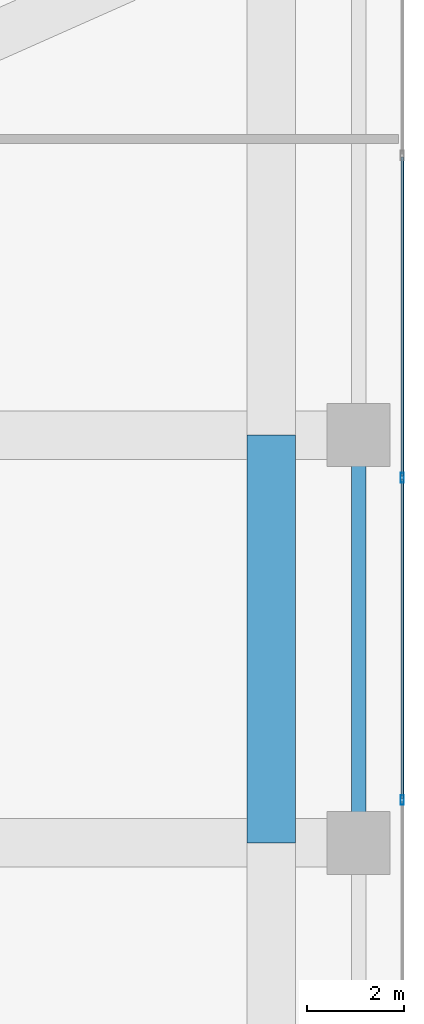
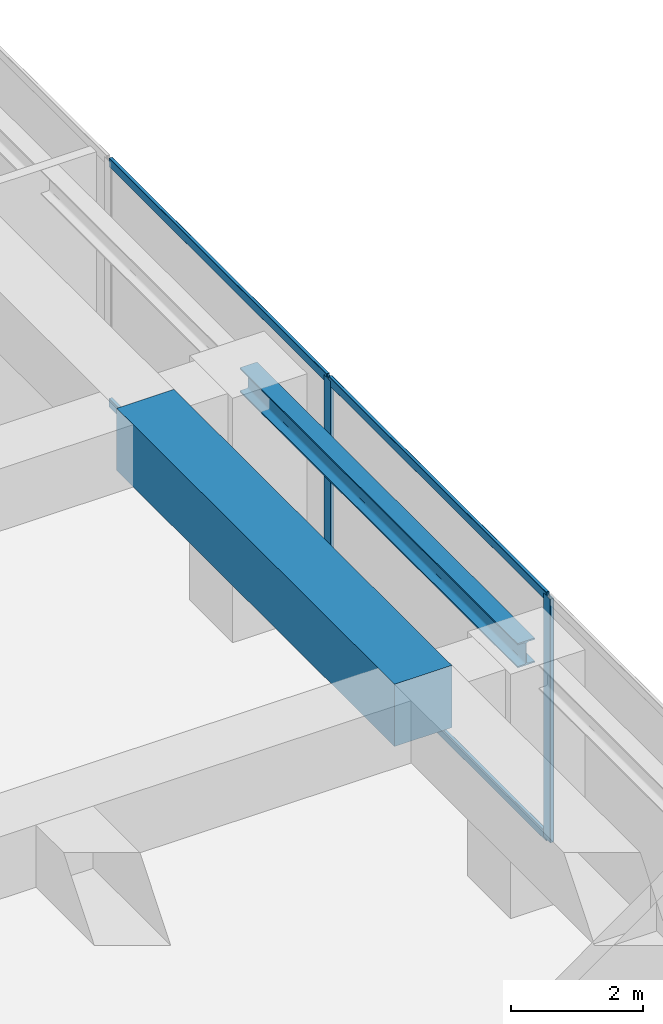
# One storey, part 17 of 35: 6 members, 2 beams, 1 element without a shape of its own.
"""IFC4 building model written with IfcOpenShell, lengths in metres."""

from ifc_helpers import new_model, si_unit, direction, frame, origin, origin_2d, place, context, subcontext, project, spatial, rectangle, hollow_rectangle, i_section, extrude, source, transform, mapped, material, layer, layer_set, material_profile, profile_set, type_object, element, aggregate, save


model = new_model("IFC4")

# Units and contexts
model_context = context("Model", 3, precision=1e-05, world=origin(), true_north=direction((0.0, 1.0)))
body_context = subcontext(model_context, "Body", "Model", "MODEL_VIEW")
ifc_project = project(units=[si_unit("LENGTHUNIT", "METRE"), si_unit("AREAUNIT", "SQUARE_METRE"), si_unit("VOLUMEUNIT", "CUBIC_METRE"), si_unit("PLANEANGLEUNIT", "RADIAN"), si_unit("MASSUNIT", "GRAM", prefix="KILO")], contexts=[model_context])

# Site, building, storey
site_placement = place(None, origin())
site = spatial("IfcSite", under=ifc_project, at=site_placement, CompositionType="ELEMENT")
building_placement = place(site_placement, origin())
building = spatial("IfcBuilding", under=site, at=building_placement, Name="Serunith Strait Residences", CompositionType="ELEMENT")
storey_placement = place(building_placement, frame((0.0, 0.0, 115.199951171875)))
storey = spatial("IfcBuildingStorey", under=building, at=storey_placement, Name="L28", CompositionType="ELEMENT", Elevation=115.199951171875)

# Beams
ifc_material_1 = material(Name="Steel S355J2", Category="steel")
ifc_material_profile_1 = material_profile(ifc_material_1, i_section(OverallWidth=0.300048828125, OverallDepth=0.449951171875, WebThickness=0.013916015625, FlangeThickness=0.02587890625, FilletRadius=0.027099609375, at=origin_2d()), Name="HEB 450")
ifc_profile_set_1 = profile_set([ifc_material_profile_1], Name="Steel S355J2")
beam_type_1 = type_object("IfcBeamType", Name="BM-HEB450", PredefinedType="BEAM", material=ifc_profile_set_1)
shared_shape_1 = source(origin(), body_context, "Body", "SweptSolid", [
    extrude(i_section(OverallWidth=0.300048828125, OverallDepth=0.449951171875, WebThickness=0.013916015625, FlangeThickness=0.02587890625, FilletRadius=0.027099609375, at=origin_2d()), origin(), (0.0, 0.0, 1.0), 8.39990234375),
])
beam_1_placement = place(storey_placement, frame((57.89990234375, 21.0, 4.281982421875), z_axis=(0.0, 1.0, 0.0), x_axis=(-1.0, 0.0, 0.0)))
element("IfcBeam", 1, at=beam_1_placement, inside=storey, type_object=beam_type_1, Name="L28 Perimeter Ring Beam 06", PredefinedType="BEAM", context=body_context, shape_type="MappedRepresentation", body=[
    mapped(shared_shape_1, transform((0.0, 0.0, 0.0), scale=1.0)),
])
ifc_material_2 = material(Name="Concrete C80/95", Category="concrete")
ifc_material_profile_2 = material_profile(ifc_material_2, rectangle(XDim=1.0, YDim=1.14990234375, at=origin_2d()), Name="RC 1000x1150")
ifc_profile_set_2 = profile_set([ifc_material_profile_2], Name="Concrete C80/95")
beam_type_2 = type_object("IfcBeamType", Name="BM-XFER-1000x1150", PredefinedType="BEAM", material=ifc_profile_set_2)
shared_shape_2 = source(origin(), body_context, "Body", "SweptSolid", [
    extrude(rectangle(XDim=1.0, YDim=1.14990234375, at=origin_2d()), origin(), (0.0, 0.0, 1.0), 8.39990234375),
])
beam_2_placement = place(storey_placement, frame((56.10009765625, 21.0, 3.93505859375), z_axis=(0.0, 1.0, 0.0), x_axis=(-1.0, 0.0, 0.0)))
element("IfcBeam", 2, at=beam_2_placement, inside=storey, type_object=beam_type_2, Name="L28 Flare Upper Ring Transfer Girder 06", PredefinedType="BEAM", context=body_context, shape_type="MappedRepresentation", body=[
    mapped(shared_shape_2, transform((0.0, 0.0, 0.0), scale=1.0)),
])

# Curtain wall, members
ifc_material_3 = material(Name="Pale-Champagne Anodised Aluminium", Category="aluminium")
ifc_layer = layer(ifc_material_3, 0.199951171875, Name="Pale-Champagne Anodised Aluminium")
ifc_layer_set = layer_set([ifc_layer], Name="Pale-Champagne Anodised Aluminium")
curtain_wall_type = type_object("IfcCurtainWallType", Name="CW-SYS1", PredefinedType="NOTDEFINED", material=ifc_layer_set)
curtain_wall_placement = place(storey_placement, origin())
curtain_wall = element("IfcCurtainWall", 3, at=curtain_wall_placement, inside=storey, type_object=curtain_wall_type, Name="L28 E Unitised Fritted Curtain Wall", PredefinedType="NOTDEFINED")
ifc_material_profile_3 = material_profile(ifc_material_3, hollow_rectangle(XDim=0.06005859375, YDim=0.159912109375, WallThickness=0.00341796875, InnerFilletRadius=0.00537109375, OuterFilletRadius=0.0087890625, at=origin_2d()), Name="ALU 160x60x3.5")
ifc_profile_set_3 = profile_set([ifc_material_profile_3], Name="Pale-Champagne Anodised Aluminium")
member_type_1 = type_object("IfcMemberType", Name="CW-SYS1-TRAN", PredefinedType="USERDEFINED", material=ifc_profile_set_3)
shared_shape_3 = source(origin(), body_context, "Body", "SweptSolid", [
    extrude(hollow_rectangle(XDim=0.06005859375, YDim=0.159912109375, WallThickness=0.00341796875, InnerFilletRadius=0.00537109375, OuterFilletRadius=0.0087890625, at=origin_2d()), origin(), (0.0, 0.0, 1.0), 6.570068359375),
])
member_1_placement = place(storey_placement, frame((58.800048828125, 21.9150390625, 0.030029296875), z_axis=(0.0, 1.0, 0.0), x_axis=(-1.0, 0.0, 0.0)))
member_1 = element("IfcMember", 4, at=member_1_placement, type_object=member_type_1, Name="CW-1 transom 3.1", ObjectType="TRANSOM", PredefinedType="USERDEFINED", context=body_context, shape_type="MappedRepresentation", body=[
    mapped(shared_shape_3, transform((0.0, 0.0, 0.0), scale=1.0)),
])
member_2_placement = place(storey_placement, frame((58.800048828125, 21.9150390625, 4.465087890625), z_axis=(0.0, 1.0, 0.0), x_axis=(-1.0, 0.0, 0.0)))
member_2 = element("IfcMember", 5, at=member_2_placement, type_object=member_type_1, Name="CW-1 transom 3.2", ObjectType="TRANSOM", PredefinedType="USERDEFINED", context=body_context, shape_type="MappedRepresentation", body=[
    mapped(shared_shape_3, transform((0.0, 0.0, 0.0), scale=1.0)),
])
member_3_placement = place(storey_placement, frame((58.800048828125, 28.554931640625, 0.030029296875), z_axis=(0.0, 1.0, 0.0), x_axis=(-1.0, 0.0, 0.0)))
member_3 = element("IfcMember", 6, at=member_3_placement, type_object=member_type_1, Name="CW-1 transom 4.1", ObjectType="TRANSOM", PredefinedType="USERDEFINED", context=body_context, shape_type="MappedRepresentation", body=[
    mapped(shared_shape_3, transform((0.0, 0.0, 0.0), scale=1.0)),
])
member_4_placement = place(storey_placement, frame((58.800048828125, 28.554931640625, 4.465087890625), z_axis=(0.0, 1.0, 0.0), x_axis=(-1.0, 0.0, 0.0)))
member_4 = element("IfcMember", 7, at=member_4_placement, type_object=member_type_1, Name="CW-1 transom 4.2", ObjectType="TRANSOM", PredefinedType="USERDEFINED", context=body_context, shape_type="MappedRepresentation", body=[
    mapped(shared_shape_3, transform((0.0, 0.0, 0.0), scale=1.0)),
])
ifc_material_profile_4 = material_profile(ifc_material_3, hollow_rectangle(XDim=0.070068359375, YDim=0.199951171875, WallThickness=0.00390625, InnerFilletRadius=0.006103515625, OuterFilletRadius=0.010009765625, at=origin_2d()), Name="ALU 200x70x4")
ifc_profile_set_4 = profile_set([ifc_material_profile_4], Name="Pale-Champagne Anodised Aluminium")
member_type_2 = type_object("IfcMemberType", Name="CW-SYS1-MULL", PredefinedType="MULLION", material=ifc_profile_set_4)
shared_shape_4 = source(origin(), body_context, "Body", "SweptSolid", [
    extrude(hollow_rectangle(XDim=0.070068359375, YDim=0.199951171875, WallThickness=0.00390625, InnerFilletRadius=0.006103515625, OuterFilletRadius=0.010009765625, at=origin_2d()), origin(), (0.0, 0.0, 1.0), 4.4951171875),
])
member_5_placement = place(storey_placement, frame((58.800048828125, 21.8798828125, 0.0), z_axis=(0.0, 0.0, 1.0), x_axis=(-1.0, 0.0, 0.0)))
member_5 = element("IfcMember", 8, at=member_5_placement, type_object=member_type_2, Name="CW-1 mullion 3", PredefinedType="MULLION", context=body_context, shape_type="MappedRepresentation", body=[
    mapped(shared_shape_4, transform((0.0, 0.0, 0.0), scale=1.0)),
])
member_6_placement = place(storey_placement, frame((58.800048828125, 28.52001953125, 0.0), z_axis=(0.0, 0.0, 1.0), x_axis=(-1.0, 0.0, 0.0)))
member_6 = element("IfcMember", 9, at=member_6_placement, type_object=member_type_2, Name="CW-1 mullion 4", PredefinedType="MULLION", context=body_context, shape_type="MappedRepresentation", body=[
    mapped(shared_shape_4, transform((0.0, 0.0, 0.0), scale=1.0)),
])
aggregate(curtain_wall, [member_5, member_6, member_1, member_2, member_3, member_4])

save(model, "model.ifc")
